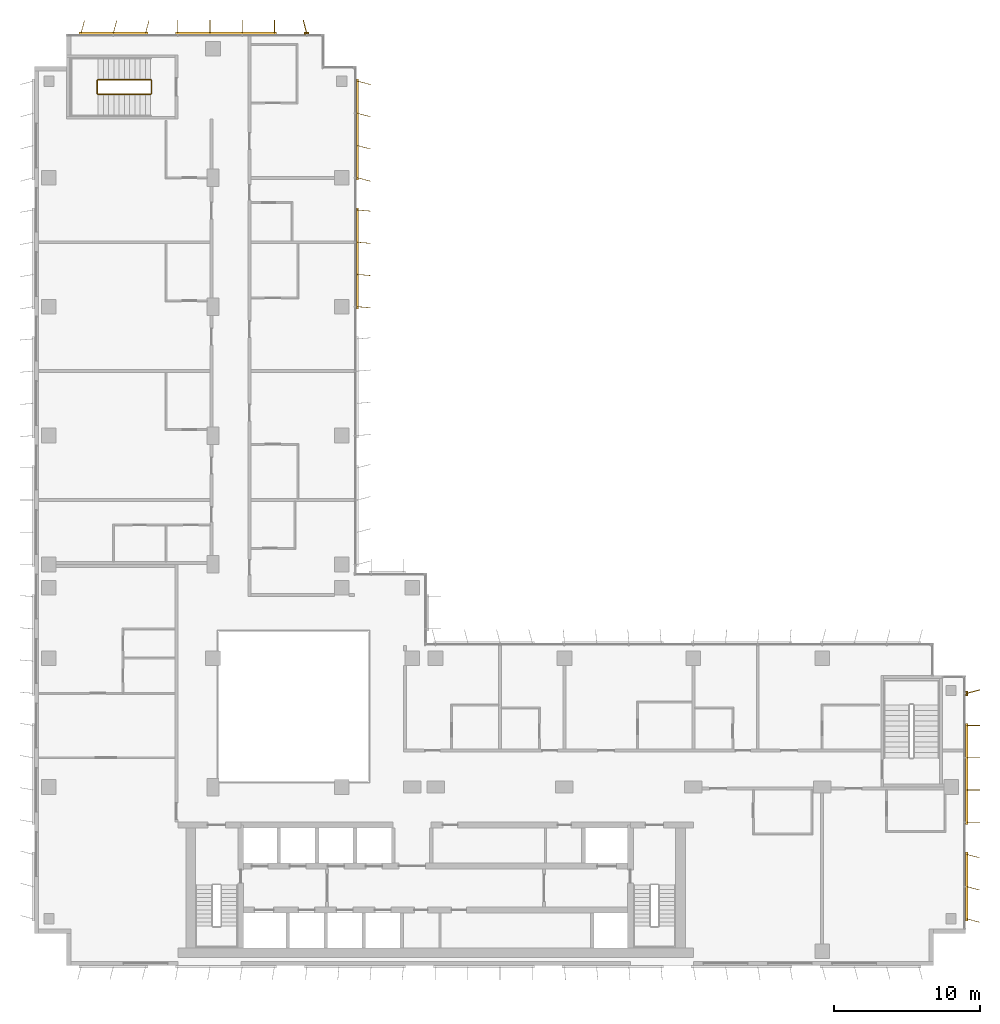
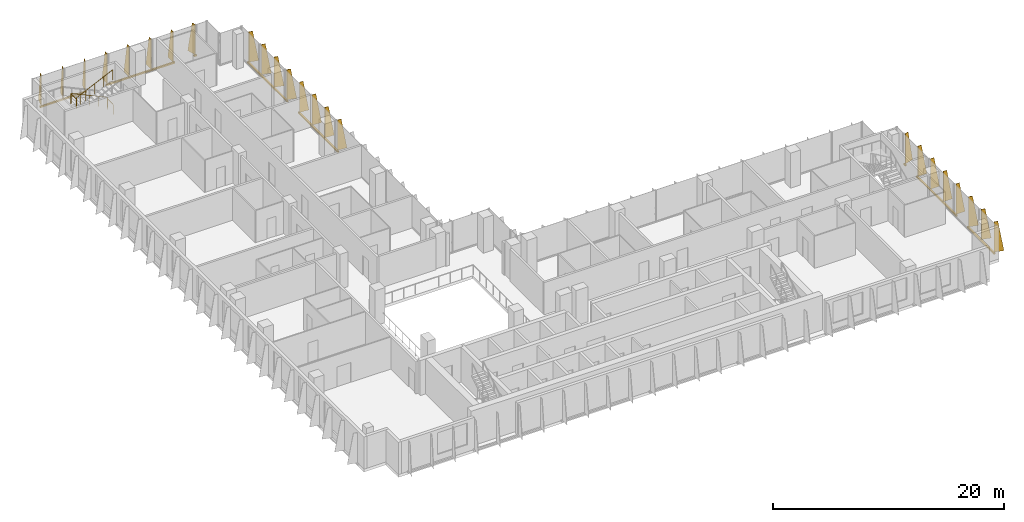
# One storey, part 20 of 20: 8 shading devices, 1 railing.
"""IFC4 building model written with IfcOpenShell, lengths in metres."""

from ifc_helpers import new_model, si_unit, direction, frame, origin, origin_2d, place, context, subcontext, project, spatial, polyline, rectangle, circle, outline, extrude, source, transform, mapped, material, layer, layer_set, type_object, element, save


model = new_model("IFC4")

# Units and contexts
model_context = context("Model", 3, precision=1e-05, world=origin(), true_north=direction((0.0, 1.0)))
body_context = subcontext(model_context, "Body", "Model", "MODEL_VIEW")
ifc_project = project(units=[si_unit("LENGTHUNIT", "METRE"), si_unit("AREAUNIT", "SQUARE_METRE"), si_unit("VOLUMEUNIT", "CUBIC_METRE"), si_unit("PLANEANGLEUNIT", "RADIAN"), si_unit("MASSUNIT", "GRAM", prefix="KILO")], contexts=[model_context])

# Site, building, storey
site_placement = place(None, origin())
site = spatial("IfcSite", under=ifc_project, at=site_placement, CompositionType="ELEMENT")
building_placement = place(site_placement, origin())
building = spatial("IfcBuilding", under=site, at=building_placement, Name="Kemantara Hotel Tower", CompositionType="ELEMENT")
storey_placement = place(building_placement, frame((0.0, 0.0, 186.39990234375)))
storey = spatial("IfcBuildingStorey", under=building, at=storey_placement, Name="L46", CompositionType="ELEMENT", Elevation=186.39990234375)

# Railing
ifc_material_1 = material(Name="Stainless steel balustrade", Category="steel")
railing_type = type_object("IfcRailingType", Name="Stair guard 1100 mm", PredefinedType="GUARDRAIL", material=ifc_material_1)
railing_placement = place(storey_placement, frame((7.949951171875, 59.5, 3.7001953125)))
element("IfcRailing", 1, at=railing_placement, inside=storey, type_object=railing_type, Name="L46 ST4 stair guard 1", PredefinedType="GUARDRAIL", context=body_context, shape_type="SweptSolid", body=[
    extrude(circle(Radius=0.02392578125, at=origin_2d()), frame((0.0, 0.0, 1.076171875), z_axis=(-0.905994681025, 0.0, -0.423289071386), x_axis=(0.0, -1.0, 0.0)), (0.0, 0.0, 1.0), 3.973388671875),
    extrude(circle(Radius=0.02392578125, at=origin_2d()), frame((-3.599853515625, 0.0, -0.60595703125), z_axis=(-0.274243871929, 0.274243871929, -0.92172696468), x_axis=(-0.707106781187, -0.707106781187, 0.0)), (0.0, 0.0, 1.0), 0.1826171875),
    extrude(circle(Radius=0.02392578125, at=origin_2d()), frame((-3.64990234375, 0.050048828125, -0.77392578125), z_axis=(0.0, 1.0, 0.0), x_axis=(-1.0, 0.0, 0.0)), (0.0, 0.0, 1.0), 0.89990234375),
    extrude(circle(Radius=0.02392578125, at=origin_2d()), frame((-3.64990234375, 0.949951171875, -0.77392578125), z_axis=(0.707106781187, 0.707106781187, 0.0), x_axis=(-0.707106781187, 0.707106781187, 0.0)), (0.0, 0.0, 1.0), 0.07080078125),
    extrude(circle(Radius=0.02392578125, at=origin_2d()), frame((-3.599853515625, 1.0, -0.77392578125), z_axis=(0.905994681025, 0.0, -0.423289071386), x_axis=(0.0, 1.0, 0.0)), (0.0, 0.0, 1.0), 3.973388671875),
    extrude(circle(Radius=0.02392578125, at=origin_2d()), frame((0.0, 1.0, -2.4560546875), z_axis=(0.274243871929, -0.274243871929, -0.92172696468), x_axis=(0.707106781187, 0.707106781187, 0.0)), (0.0, 0.0, 1.0), 0.1826171875),
    extrude(circle(Radius=0.02392578125, at=origin_2d()), frame((0.050048828125, 0.949951171875, -2.6240234375), z_axis=(0.0, -1.0, 0.0), x_axis=(1.0, 0.0, 0.0)), (0.0, 0.0, 1.0), 0.89990234375),
    extrude(circle(Radius=0.02099609375, at=origin_2d()), origin(), (0.0, 0.0, 1.0), 1.052001953125),
    extrude(circle(Radius=0.02099609375, at=origin_2d()), frame((-0.89990234375, 0.0, -0.42041015625)), (0.0, 0.0, 1.0), 1.052001953125),
    extrude(circle(Radius=0.02099609375, at=origin_2d()), frame((-1.7998046875, 0.0, -0.8408203125)), (0.0, 0.0, 1.0), 1.052001953125),
    extrude(circle(Radius=0.02099609375, at=origin_2d()), frame((-2.699951171875, 0.0, -1.261474609375)), (0.0, 0.0, 1.0), 1.052001953125),
    extrude(circle(Radius=0.02099609375, at=origin_2d()), frame((-3.599853515625, 0.0, -1.681884765625)), (0.0, 0.0, 1.0), 1.052001953125),
    extrude(circle(Radius=0.02099609375, at=origin_2d()), frame((-3.64990234375, 0.050048828125, -1.85009765625)), (0.0, 0.0, 1.0), 1.052001953125),
    extrude(circle(Radius=0.02099609375, at=origin_2d()), frame((-3.64990234375, 0.949951171875, -1.85009765625)), (0.0, 0.0, 1.0), 1.052001953125),
    extrude(circle(Radius=0.02099609375, at=origin_2d()), frame((-3.599853515625, 1.0, -1.85009765625)), (0.0, 0.0, 1.0), 1.052001953125),
    extrude(circle(Radius=0.02099609375, at=origin_2d()), frame((-2.699951171875, 1.0, -2.2705078125)), (0.0, 0.0, 1.0), 1.052001953125),
    extrude(circle(Radius=0.02099609375, at=origin_2d()), frame((-1.7998046875, 1.0, -2.69091796875)), (0.0, 0.0, 1.0), 1.052001953125),
    extrude(circle(Radius=0.02099609375, at=origin_2d()), frame((-0.89990234375, 1.0, -3.111572265625)), (0.0, 0.0, 1.0), 1.052001953125),
    extrude(circle(Radius=0.02099609375, at=origin_2d()), frame((0.0, 1.0, -3.531982421875)), (0.0, 0.0, 1.0), 1.052001953125),
    extrude(circle(Radius=0.02099609375, at=origin_2d()), frame((0.050048828125, 0.949951171875, -3.7001953125)), (0.0, 0.0, 1.0), 1.052001953125),
    extrude(circle(Radius=0.02099609375, at=origin_2d()), frame((0.050048828125, 0.050048828125, -3.7001953125)), (0.0, 0.0, 1.0), 1.052001953125),
])

# Shading devices
ifc_material_2 = material(Name="Perforated aluminium plate 4 mm bronze anodised", Category="aluminium")
ifc_layer_1 = layer(ifc_material_2, 0.0400390625)
ifc_layer_set_1 = layer_set([ifc_layer_1], Name="Perforated aluminium plate 4 mm bronze anodised")
shading_device_type_1 = type_object("IfcShadingDeviceType", Name="SCREEN FIN CASSETTE, 3 BLADES AT -15.0 DEG, 3200 HIGH", PredefinedType="USERDEFINED", material=ifc_layer_set_1)
shared_shape_1 = source(origin(), body_context, "Body", "SweptSolid", [
    extrude(rectangle(XDim=4.699951171875, YDim=0.14990234375, at=origin_2d()), frame((2.199951171875, -0.074951171875, -0.14990234375), z_axis=(0.0, 0.0, 1.0), x_axis=(1.0, 0.0, 0.0)), (0.0, 0.0, 1.0), 0.14990234375),
    extrude(outline(polyline([(0.0, 0.0), (0.89990234375, 0.0), (0.35009765625, 3.199951171875), (0.0, 3.199951171875), (0.0, 0.0)])), frame((0.019287109375, -0.080078125, 0.0), z_axis=(-0.966437683387, 0.256901156343, 0.0), x_axis=(-0.256901156343, -0.966437683387, 0.0)), (0.0, 0.0, 1.0), 0.039794921875),
    extrude(outline(polyline([(0.0, 0.0), (0.89990234375, 0.0), (0.35009765625, 3.199951171875), (0.0, 3.199951171875), (0.0, 0.0)])), frame((2.21923828125, -0.080078125, 0.0), z_axis=(-0.966437683387, 0.256901156343, 0.0), x_axis=(-0.256901156343, -0.966437683387, 0.0)), (0.0, 0.0, 1.0), 0.039794921875),
    extrude(outline(polyline([(0.0, 0.0), (0.89990234375, 0.0), (0.35009765625, 3.199951171875), (0.0, 3.199951171875), (0.0, 0.0)])), frame((4.41943359375, -0.080078125, 0.0), z_axis=(-0.966837822169, 0.255391122837, 0.0), x_axis=(-0.255391122837, -0.966837822169, 0.0)), (0.0, 0.0, 1.0), 0.0400390625),
])
for number, where, z_axis, x_axis, name in (
    (2, (7.60009765625, 63.60009765625, 0.10009765625), (0.0, 0.0, 1.0), (-1.0, 0.0, 0.0), "SCREEN FIN CASSETTE L46 T3-R02-3"),
    (3, (63.60009765625, 3.199951171875, 0.10009765625), (0.0, 0.0, 1.0), (0.0, 1.0, 0.0), "SCREEN FIN CASSETTE L46 T3-R11-1"),
):
    element("IfcShadingDevice", number, at=place(storey_placement, frame(where, z_axis=z_axis, x_axis=x_axis)), inside=storey, type_object=shading_device_type_1, Name=name, ObjectType="SCREEN FIN", PredefinedType="USERDEFINED", context=body_context, shape_type="MappedRepresentation", body=[
        mapped(shared_shape_1, transform((0.0, 0.0, 0.0))),
    ])
ifc_layer_2 = layer(ifc_material_2, 0.0400390625)
ifc_layer_set_2 = layer_set([ifc_layer_2], Name="Perforated aluminium plate 4 mm bronze anodised")
shading_device_type_2 = type_object("IfcShadingDeviceType", Name="SCREEN FIN CASSETTE, 4 BLADES AT -5.0 DEG, 3200 HIGH", PredefinedType="USERDEFINED", material=ifc_layer_set_2)
shared_shape_2 = source(origin(), body_context, "Body", "SweptSolid", [
    extrude(rectangle(XDim=6.89990234375, YDim=0.14990234375, at=origin_2d()), frame((3.300048828125, -0.074951171875, -0.14990234375), z_axis=(0.0, 0.0, 1.0), x_axis=(1.0, 0.0, 0.0)), (0.0, 0.0, 1.0), 0.14990234375),
    extrude(outline(polyline([(0.0, 0.0), (0.89990234375, 0.0), (0.35009765625, 3.199951171875), (0.0, 3.199951171875), (0.0, 0.0)])), frame((0.02001953125, -0.07666015625, 0.0), z_axis=(-0.996376129781, 0.085056498884, 0.0), x_axis=(-0.085056498884, -0.996376129781, 0.0)), (0.0, 0.0, 1.0), 0.040283203125),
    extrude(outline(polyline([(0.0, 0.0), (0.89990234375, 0.0), (0.35009765625, 3.199951171875), (0.0, 3.199951171875), (0.0, 0.0)])), frame((2.219970703125, -0.07666015625, 0.0), z_axis=(-0.996331773833, 0.085574508182, 0.0), x_axis=(-0.085574508182, -0.996331773833, 0.0)), (0.0, 0.0, 1.0), 0.0400390625),
    extrude(outline(polyline([(0.0, 0.0), (0.89990234375, 0.0), (0.35009765625, 3.199951171875), (0.0, 3.199951171875), (0.0, 0.0)])), frame((4.419921875, -0.07666015625, 0.0), z_axis=(-0.996331773833, 0.085574508182, 0.0), x_axis=(-0.085574508182, -0.996331773833, 0.0)), (0.0, 0.0, 1.0), 0.0400390625),
    extrude(outline(polyline([(0.0, 0.0), (0.89990234375, 0.0), (0.35009765625, 3.199951171875), (0.0, 3.199951171875), (0.0, 0.0)])), frame((6.619873046875, -0.07666015625, 0.0), z_axis=(-0.996331773833, 0.085574508182, 0.0), x_axis=(-0.085574508182, -0.996331773833, 0.0)), (0.0, 0.0, 1.0), 0.0400390625),
])
shading_device_1_placement = place(storey_placement, frame((22.0, 45.0, 0.10009765625), z_axis=(0.0, 0.0, 1.0), x_axis=(0.0, 1.0, 0.0)))
element("IfcShadingDevice", 4, at=shading_device_1_placement, inside=storey, type_object=shading_device_type_2, Name="SCREEN FIN CASSETTE L46 T3-R17-3", ObjectType="SCREEN FIN", PredefinedType="USERDEFINED", context=body_context, shape_type="MappedRepresentation", body=[
    mapped(shared_shape_2, transform((0.0, 0.0, 0.0))),
])
ifc_layer_3 = layer(ifc_material_2, 0.0400390625)
ifc_layer_set_3 = layer_set([ifc_layer_3], Name="Perforated aluminium plate 4 mm bronze anodised")
shading_device_type_3 = type_object("IfcShadingDeviceType", Name="SCREEN FIN CASSETTE, 4 BLADES AT +0.0 DEG, 3200 HIGH", PredefinedType="USERDEFINED", material=ifc_layer_set_3)
shared_shape_3 = source(origin(), body_context, "Body", "SweptSolid", [
    extrude(rectangle(XDim=6.89990234375, YDim=0.14990234375, at=origin_2d()), frame((3.300048828125, -0.074951171875, -0.14990234375), z_axis=(0.0, 0.0, 1.0), x_axis=(1.0, 0.0, 0.0)), (0.0, 0.0, 1.0), 0.14990234375),
    extrude(outline(polyline([(0.0, 0.0), (0.89990234375, 0.0), (0.35009765625, 3.199951171875), (0.0, 3.199951171875), (0.0, 0.0)])), frame((0.02001953125, -0.074951171875, 0.0), z_axis=(-1.0, 0.0, 0.0), x_axis=(0.0, -1.0, 0.0)), (0.0, 0.0, 1.0), 0.0400390625),
    extrude(outline(polyline([(0.0, 0.0), (0.89990234375, 0.0), (0.35009765625, 3.199951171875), (0.0, 3.199951171875), (0.0, 0.0)])), frame((2.219970703125, -0.074951171875, 0.0), z_axis=(-1.0, 0.0, 0.0), x_axis=(0.0, -1.0, 0.0)), (0.0, 0.0, 1.0), 0.0400390625),
    extrude(outline(polyline([(0.0, 0.0), (0.89990234375, 0.0), (0.35009765625, 3.199951171875), (0.0, 3.199951171875), (0.0, 0.0)])), frame((4.419921875, -0.074951171875, 0.0), z_axis=(-1.0, 0.0, 0.0), x_axis=(0.0, -1.0, 0.0)), (0.0, 0.0, 1.0), 0.0400390625),
    extrude(outline(polyline([(0.0, 0.0), (0.89990234375, 0.0), (0.35009765625, 3.199951171875), (0.0, 3.199951171875), (0.0, 0.0)])), frame((6.6201171875, -0.074951171875, 0.0), z_axis=(-1.0, 0.0, 0.0), x_axis=(0.0, -1.0, 0.0)), (0.0, 0.0, 1.0), 0.0400390625),
])
for number, where, z_axis, x_axis, name in (
    (5, (16.39990234375, 63.60009765625, 0.10009765625), (0.0, 0.0, 1.0), (-1.0, 0.0, 0.0), "SCREEN FIN CASSETTE L46 T3-R02-2"),
    (6, (63.60009765625, 9.800048828125, 0.10009765625), (0.0, 0.0, 1.0), (0.0, 1.0, 0.0), "SCREEN FIN CASSETTE L46 T3-R11-2"),
):
    element("IfcShadingDevice", number, at=place(storey_placement, frame(where, z_axis=z_axis, x_axis=x_axis)), inside=storey, type_object=shading_device_type_3, Name=name, ObjectType="SCREEN FIN", PredefinedType="USERDEFINED", context=body_context, shape_type="MappedRepresentation", body=[
        mapped(shared_shape_3, transform((0.0, 0.0, 0.0))),
    ])
ifc_layer_4 = layer(ifc_material_2, 0.0400390625)
ifc_layer_set_4 = layer_set([ifc_layer_4], Name="Perforated aluminium plate 4 mm bronze anodised")
shading_device_type_4 = type_object("IfcShadingDeviceType", Name="SCREEN FIN CASSETTE, 4 BLADES AT -15.0 DEG, 3200 HIGH", PredefinedType="USERDEFINED", material=ifc_layer_set_4)
shared_shape_4 = source(origin(), body_context, "Body", "SweptSolid", [
    extrude(rectangle(XDim=6.89990234375, YDim=0.14990234375, at=origin_2d()), frame((3.300048828125, -0.074951171875, -0.14990234375), z_axis=(0.0, 0.0, 1.0), x_axis=(1.0, 0.0, 0.0)), (0.0, 0.0, 1.0), 0.14990234375),
    extrude(outline(polyline([(0.0, 0.0), (0.89990234375, 0.0), (0.35009765625, 3.199951171875), (0.0, 3.199951171875), (0.0, 0.0)])), frame((0.019287109375, -0.080078125, 0.0), z_axis=(-0.966437683387, 0.256901156343, 0.0), x_axis=(-0.256901156343, -0.966437683387, 0.0)), (0.0, 0.0, 1.0), 0.039794921875),
    extrude(outline(polyline([(0.0, 0.0), (0.89990234375, 0.0), (0.35009765625, 3.199951171875), (0.0, 3.199951171875), (0.0, 0.0)])), frame((2.21923828125, -0.080078125, 0.0), z_axis=(-0.966437683387, 0.256901156343, 0.0), x_axis=(-0.256901156343, -0.966437683387, 0.0)), (0.0, 0.0, 1.0), 0.039794921875),
    extrude(outline(polyline([(0.0, 0.0), (0.89990234375, 0.0), (0.35009765625, 3.199951171875), (0.0, 3.199951171875), (0.0, 0.0)])), frame((4.41943359375, -0.080078125, 0.0), z_axis=(-0.966837822169, 0.255391122837, 0.0), x_axis=(-0.255391122837, -0.966837822169, 0.0)), (0.0, 0.0, 1.0), 0.0400390625),
    extrude(outline(polyline([(0.0, 0.0), (0.89990234375, 0.0), (0.35009765625, 3.199951171875), (0.0, 3.199951171875), (0.0, 0.0)])), frame((6.619384765625, -0.080078125, 0.0), z_axis=(-0.966837822169, 0.255391122837, 0.0), x_axis=(-0.255391122837, -0.966837822169, 0.0)), (0.0, 0.0, 1.0), 0.0400390625),
])
shading_device_2_placement = place(storey_placement, frame((22.0, 53.800048828125, 0.10009765625), z_axis=(0.0, 0.0, 1.0), x_axis=(0.0, 1.0, 0.0)))
element("IfcShadingDevice", 7, at=shading_device_2_placement, inside=storey, type_object=shading_device_type_4, Name="SCREEN FIN CASSETTE L46 T3-R17-4", ObjectType="SCREEN FIN", PredefinedType="USERDEFINED", context=body_context, shape_type="MappedRepresentation", body=[
    mapped(shared_shape_4, transform((0.0, 0.0, 0.0))),
])
ifc_layer_5 = layer(ifc_material_2, 0.0400390625)
ifc_layer_set_5 = layer_set([ifc_layer_5], Name="Perforated aluminium plate 4 mm bronze anodised")
shading_device_type_5 = type_object("IfcShadingDeviceType", Name="SCREEN FIN CASSETTE, 1 BLADE AT +15.0 DEG, 3200 HIGH", PredefinedType="USERDEFINED", material=ifc_layer_set_5)
shared_shape_5 = source(origin(), body_context, "Body", "SweptSolid", [
    extrude(rectangle(XDim=0.300048828125, YDim=0.14990234375, at=origin_2d()), frame((0.0, -0.074951171875, -0.14990234375), z_axis=(0.0, 0.0, 1.0), x_axis=(1.0, 0.0, 0.0)), (0.0, 0.0, 1.0), 0.14990234375),
    extrude(outline(polyline([(0.0, 0.0), (0.89990234375, 0.0), (0.35009765625, 3.199951171875), (0.0, 3.199951171875), (0.0, 0.0)])), frame((0.019287109375, -0.06982421875, 0.0), z_axis=(-0.966437683387, -0.256901156343, 0.0), x_axis=(0.256901156343, -0.966437683387, 0.0)), (0.0, 0.0, 1.0), 0.039794921875),
])
for number, where, z_axis, x_axis, name in (
    (8, (18.60009765625, 63.60009765625, 0.10009765625), (0.0, 0.0, 1.0), (-1.0, 0.0, 0.0), "SCREEN FIN CASSETTE L46 T3-R02-1"),
    (9, (63.60009765625, 18.60009765625, 0.10009765625), (0.0, 0.0, 1.0), (0.0, 1.0, 0.0), "SCREEN FIN CASSETTE L46 T3-R11-3"),
):
    element("IfcShadingDevice", number, at=place(storey_placement, frame(where, z_axis=z_axis, x_axis=x_axis)), inside=storey, type_object=shading_device_type_5, Name=name, ObjectType="SCREEN FIN", PredefinedType="USERDEFINED", context=body_context, shape_type="MappedRepresentation", body=[
        mapped(shared_shape_5, transform((0.0, 0.0, 0.0))),
    ])

save(model, "model.ifc")
